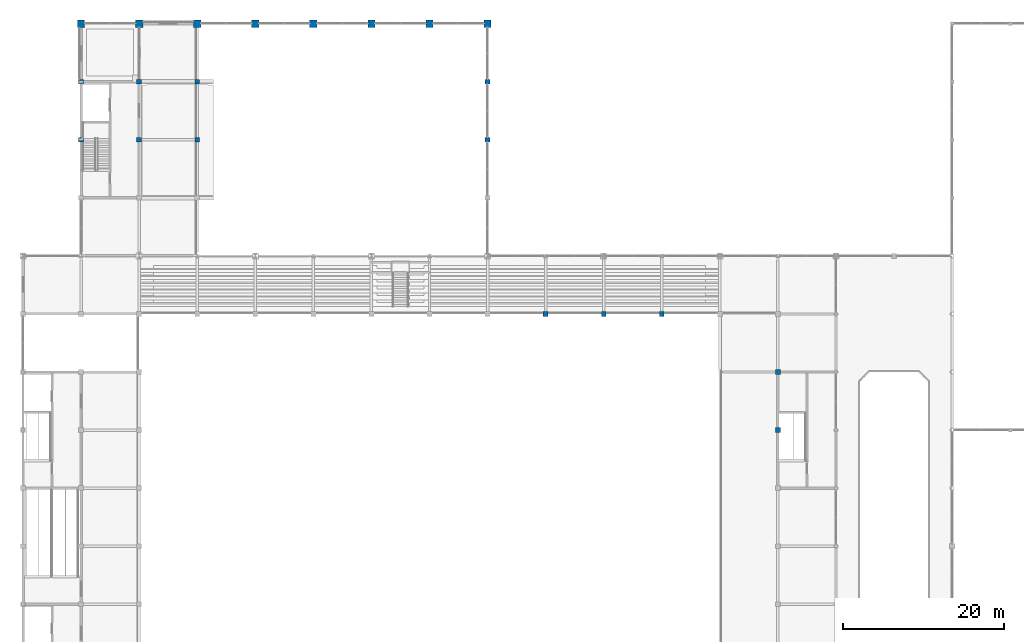
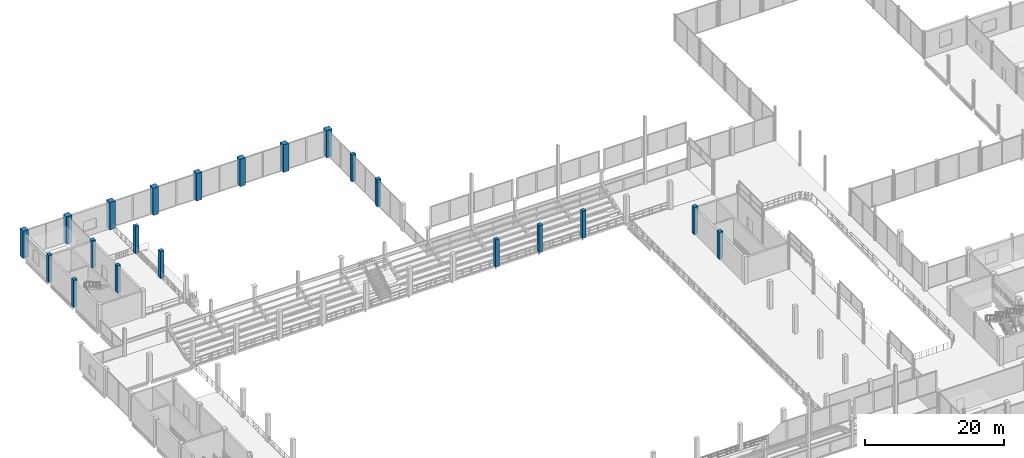
# One storey, part 7 of 120: 21 columns.
"""IFC4 building model written with IfcOpenShell, lengths in metres."""

from ifc_helpers import new_model, si_unit, direction, frame, origin, origin_2d, place, context, subcontext, project, spatial, rectangle, extrude, material, material_profile, profile_set, type_object, element, save


model = new_model("IFC4")

# Units and contexts
model_context = context("Model", 3, precision=1e-05, world=origin(), true_north=direction((0.0, 1.0)))
body_context = subcontext(model_context, "Body", "Model", "MODEL_VIEW")
ifc_project = project(units=[si_unit("LENGTHUNIT", "METRE"), si_unit("AREAUNIT", "SQUARE_METRE"), si_unit("VOLUMEUNIT", "CUBIC_METRE"), si_unit("PLANEANGLEUNIT", "RADIAN"), si_unit("MASSUNIT", "GRAM", prefix="KILO")], contexts=[model_context])

# Site, building, storey
site_placement = place(None, origin())
site = spatial("IfcSite", under=ifc_project, at=site_placement, CompositionType="ELEMENT")
building_placement = place(site_placement, origin())
building = spatial("IfcBuilding", under=site, at=building_placement, Name="Vesperath Aquatics Centre", CompositionType="ELEMENT")
storey_placement = place(building_placement, frame((0.0, 0.0, 10.199951171875)))
storey = spatial("IfcBuildingStorey", under=building, at=storey_placement, Name="L02", CompositionType="ELEMENT", Elevation=10.199951171875)

# Columns
ifc_material = material(Name="Concrete C40", Category="concrete")
ifc_material_profile_1 = material_profile(ifc_material, rectangle(XDim=0.89990234375, YDim=0.89990234375, at=origin_2d()), Name="RC 900x900")
ifc_profile_set_1 = profile_set([ifc_material_profile_1], Name="Concrete C40")
column_type_1 = type_object("IfcColumnType", Name="CL-C03", PredefinedType="COLUMN", material=ifc_profile_set_1)
for number, where, z_axis, x_axis, name in (
    (1, (7.199951171875, 115.199951171875, 0.0), (0.0, 0.0, 1.0), (1.0, 0.0, 0.0), "Column C03 L02 2/S"),
    (2, (14.39990234375, 115.199951171875, 0.0), (0.0, 0.0, 1.0), (1.0, 0.0, 0.0), "Column C03 L02 3/S"),
    (3, (21.60009765625, 115.199951171875, 0.0), (0.0, 0.0, 1.0), (1.0, 0.0, 0.0), "Column C03 L02 4/S"),
    (4, (28.800048828125, 115.199951171875, 0.0), (0.0, 0.0, 1.0), (1.0, 0.0, 0.0), "Column C03 L02 5/S"),
    (5, (36.0, 115.199951171875, 0.0), (0.0, 0.0, 1.0), (1.0, 0.0, 0.0), "Column C03 L02 6/S"),
    (6, (43.199951171875, 115.199951171875, 0.0), (0.0, 0.0, 1.0), (1.0, 0.0, 0.0), "Column C03 L02 7/S"),
    (7, (50.39990234375, 115.199951171875, 0.0), (0.0, 0.0, 1.0), (1.0, 0.0, 0.0), "Column C03 L02 8/S"),
    (8, (57.60009765625, 115.199951171875, 0.0), (0.0, 0.0, 1.0), (1.0, 0.0, 0.0), "Column C03 L02 9/S"),
):
    element("IfcColumn", number, at=place(storey_placement, frame(where, z_axis=z_axis, x_axis=x_axis)), inside=storey, type_object=column_type_1, Name=name, PredefinedType="COLUMN", context=body_context, shape_type="SweptSolid", body=[
        extrude(rectangle(XDim=0.89990234375, YDim=0.89990234375, at=origin_2d()), origin(), (0.0, 0.0, 1.0), 4.800048828125),
    ])
ifc_material_profile_2 = material_profile(ifc_material, rectangle(XDim=0.60009765625, YDim=0.60009765625, at=origin_2d()), Name="RC 600x600")
ifc_profile_set_2 = profile_set([ifc_material_profile_2], Name="Concrete C40")
column_type_2 = type_object("IfcColumnType", Name="CL-C06", PredefinedType="COLUMN", material=ifc_profile_set_2)
for number, where, z_axis, x_axis, name in (
    (9, (7.199951171875, 100.800048828125, 0.0), (0.0, 0.0, 1.0), (1.0, 0.0, 0.0), "Column C06 L02 2/Q"),
    (10, (7.199951171875, 108.0, 0.0), (0.0, 0.0, 1.0), (1.0, 0.0, 0.0), "Column C06 L02 2/R"),
    (11, (14.39990234375, 100.800048828125, 0.0), (0.0, 0.0, 1.0), (1.0, 0.0, 0.0), "Column C06 L02 3/Q"),
    (12, (14.39990234375, 108.0, 0.0), (0.0, 0.0, 1.0), (1.0, 0.0, 0.0), "Column C06 L02 3/R"),
    (13, (21.60009765625, 100.800048828125, 0.0), (0.0, 0.0, 1.0), (1.0, 0.0, 0.0), "Column C06 L02 4/Q"),
    (14, (21.60009765625, 108.0, 0.0), (0.0, 0.0, 1.0), (1.0, 0.0, 0.0), "Column C06 L02 4/R"),
    (15, (57.60009765625, 100.800048828125, 0.0), (0.0, 0.0, 1.0), (1.0, 0.0, 0.0), "Column C06 L02 9/Q"),
    (16, (57.60009765625, 108.0, 0.0), (0.0, 0.0, 1.0), (1.0, 0.0, 0.0), "Column C06 L02 9/R"),
    (17, (64.800048828125, 79.199951171875, 0.0), (0.0, 0.0, 1.0), (1.0, 0.0, 0.0), "Column C06 L02 10/M"),
    (18, (72.0, 79.199951171875, 0.0), (0.0, 0.0, 1.0), (1.0, 0.0, 0.0), "Column C06 L02 11/M"),
    (19, (79.199951171875, 79.199951171875, 0.0), (0.0, 0.0, 1.0), (1.0, 0.0, 0.0), "Column C06 L02 12/M"),
    (20, (93.60009765625, 64.800048828125, 0.0), (0.0, 0.0, 1.0), (1.0, 0.0, 0.0), "Column C06 L02 14/K"),
    (21, (93.60009765625, 72.0, 0.0), (0.0, 0.0, 1.0), (1.0, 0.0, 0.0), "Column C06 L02 14/L"),
):
    element("IfcColumn", number, at=place(storey_placement, frame(where, z_axis=z_axis, x_axis=x_axis)), inside=storey, type_object=column_type_2, Name=name, PredefinedType="COLUMN", context=body_context, shape_type="SweptSolid", body=[
        extrude(rectangle(XDim=0.60009765625, YDim=0.60009765625, at=origin_2d()), origin(), (0.0, 0.0, 1.0), 4.800048828125),
    ])

save(model, "model.ifc")
